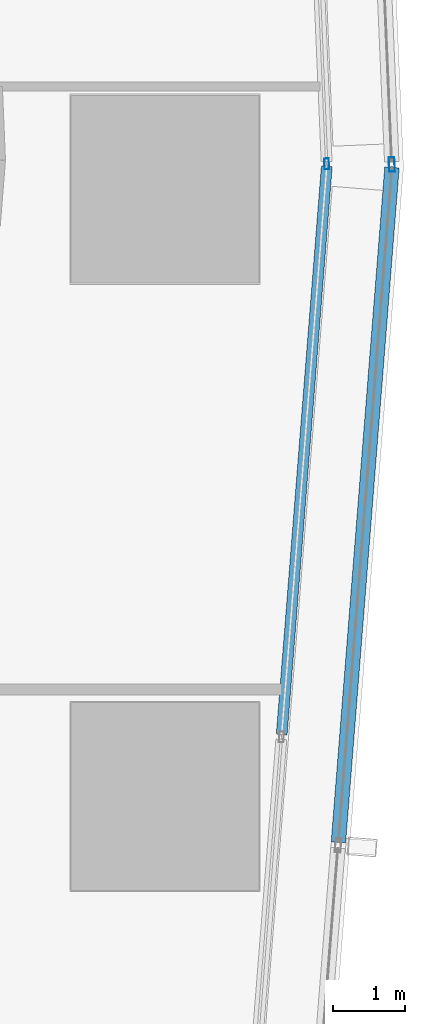
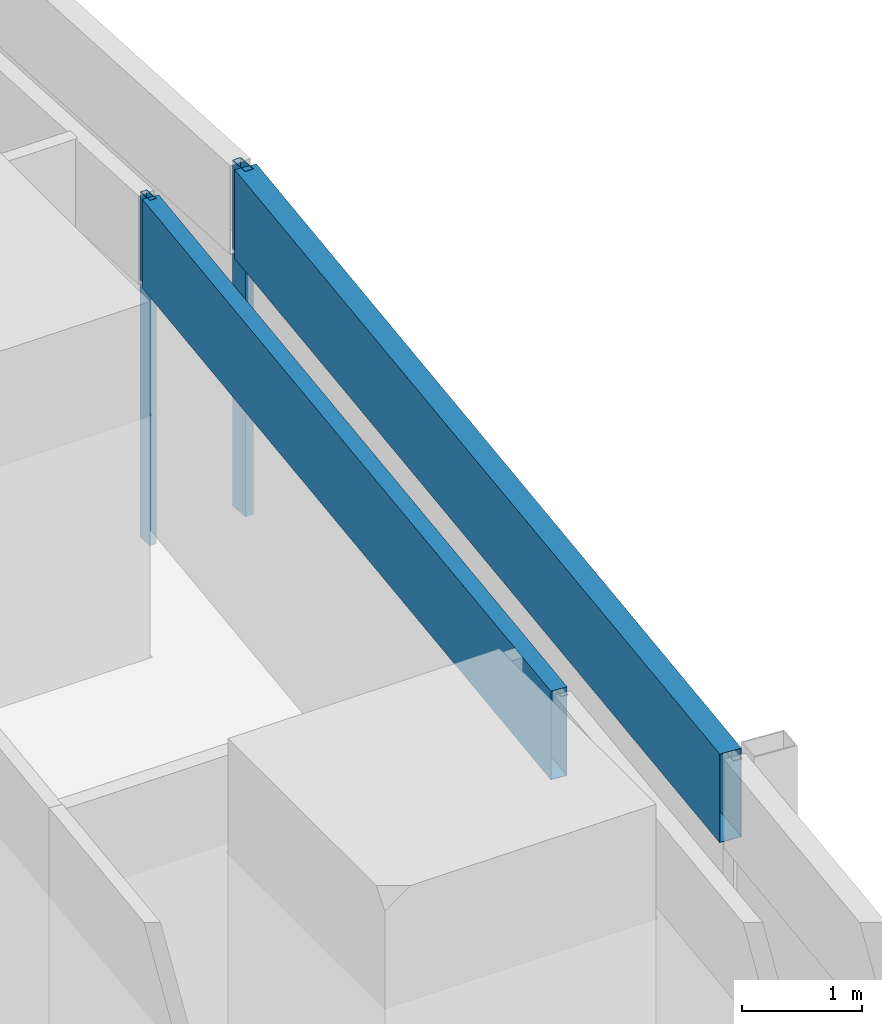
# One storey, part 26 of 46: 4 members, 4 elements without a shape of their own.
"""IFC4 building model written with IfcOpenShell, lengths in metres."""

from ifc_helpers import new_model, si_unit, direction, frame, origin, origin_2d, place, context, subcontext, project, spatial, hollow_rectangle, extrude, material, material_profile, profile_set, type_object, element, aggregate, save


model = new_model("IFC4")

# Units and contexts
model_context = context("Model", 3, precision=1e-05, world=origin(), true_north=direction((0.0, 1.0)))
body_context = subcontext(model_context, "Body", "Model", "MODEL_VIEW")
ifc_project = project(units=[si_unit("LENGTHUNIT", "METRE"), si_unit("AREAUNIT", "SQUARE_METRE"), si_unit("VOLUMEUNIT", "CUBIC_METRE"), si_unit("PLANEANGLEUNIT", "RADIAN"), si_unit("MASSUNIT", "GRAM", prefix="KILO")], contexts=[model_context])

# Site, building, storey
site_placement = place(None, origin())
site = spatial("IfcSite", under=ifc_project, at=site_placement, CompositionType="ELEMENT")
building_placement = place(site_placement, origin())
building = spatial("IfcBuilding", under=site, at=building_placement, Name="Rekha Terrace Tower", CompositionType="ELEMENT")
storey_placement = place(building_placement, frame((0.0, 0.0, 29.14990234375)))
storey = spatial("IfcBuildingStorey", under=building, at=storey_placement, Name="L06", CompositionType="ELEMENT", Elevation=29.14990234375)

# Curtain wall, member
ifc_material_1 = material(Name="Aluminium framing", Category="aluminium")
curtain_wall_type_1 = type_object("IfcCurtainWallType", Name="CW1 double skin inner glazing", PredefinedType="USERDEFINED", material=ifc_material_1)
curtain_wall_1_placement = place(storey_placement, origin())
curtain_wall_1 = element("IfcCurtainWall", 1, at=curtain_wall_1_placement, inside=storey, type_object=curtain_wall_type_1, Name="CW1 double skin inner glazing", ObjectType="DOUBLE SKIN INNER GLAZING", PredefinedType="USERDEFINED")
ifc_material_2 = material(Name="Aluminium mullion section", Category="aluminium")
ifc_material_profile_1 = material_profile(ifc_material_2, hollow_rectangle(XDim=0.06494140625, YDim=0.14990234375, WallThickness=0.00390625, at=origin_2d()), Name="AL RHS 65x150")
ifc_profile_set_1 = profile_set([ifc_material_profile_1], Name="Aluminium mullion section")
member_type_1 = type_object("IfcMemberType", Name="CW1 mullion RHS 65 x 150", PredefinedType="MULLION", material=ifc_profile_set_1)
member_1_placement = place(storey_placement, frame((69.436767578125, 25.5517578125, 0.0), z_axis=(0.0, 0.0, 1.0), x_axis=(-0.999088106903, -0.042696072939, 0.0)))
member_1 = element("IfcMember", 2, at=member_1_placement, type_object=member_type_1, Name="CW1 mullion 1", PredefinedType="MULLION", context=body_context, shape_type="SweptSolid", body=[
    extrude(hollow_rectangle(XDim=0.06494140625, YDim=0.14990234375, WallThickness=0.00390625, at=origin_2d()), origin(), (0.0, 0.0, 1.0), 3.5),
])
aggregate(curtain_wall_1, [member_1])

curtain_wall_2_placement = place(storey_placement, origin())
curtain_wall_2 = element("IfcCurtainWall", 3, at=curtain_wall_2_placement, inside=storey, type_object=curtain_wall_type_1, Name="CW1 double skin inner glazing", ObjectType="DOUBLE SKIN INNER GLAZING", PredefinedType="USERDEFINED")
ifc_material_3 = material(Name="Insulated aluminium spandrel box", Category="aluminium")
ifc_material_profile_2 = material_profile(ifc_material_3, hollow_rectangle(XDim=0.14990234375, YDim=0.89990234375, WallThickness=0.0029296875, at=origin_2d()), Name="AL SPANDREL BOX 150x900")
ifc_profile_set_2 = profile_set([ifc_material_profile_2], Name="Insulated aluminium spandrel box")
member_type_2 = type_object("IfcMemberType", Name="CW1 spandrel transom 150 x 900", PredefinedType="USERDEFINED", material=ifc_profile_set_2)
member_2_placement = place(storey_placement, frame((68.814208984375, 17.65576171875, 3.050048828125), z_axis=(0.079108001705, 0.996866051216, 0.0), x_axis=(-0.996866051216, 0.079108001705, 0.0)))
member_2 = element("IfcMember", 4, at=member_2_placement, type_object=member_type_2, Name="CW1 spandrel transom 2", ObjectType="TRANSOM", PredefinedType="USERDEFINED", context=body_context, shape_type="SweptSolid", body=[
    extrude(hollow_rectangle(XDim=0.14990234375, YDim=0.89990234375, WallThickness=0.0029296875, at=origin_2d()), origin(), (0.0, 0.0, 1.0), 7.88818359375),
])
aggregate(curtain_wall_2, [member_2])

curtain_wall_type_2 = type_object("IfcCurtainWallType", Name="CW2 double skin outer glazing", PredefinedType="USERDEFINED", material=ifc_material_1)
curtain_wall_3_placement = place(storey_placement, origin())
curtain_wall_3 = element("IfcCurtainWall", 5, at=curtain_wall_3_placement, inside=storey, type_object=curtain_wall_type_2, Name="CW2 double skin outer glazing", ObjectType="DOUBLE SKIN OUTER GLAZING", PredefinedType="USERDEFINED")
ifc_material_profile_3 = material_profile(ifc_material_2, hollow_rectangle(XDim=0.080078125, YDim=0.199951171875, WallThickness=0.00390625, at=origin_2d()), Name="AL RHS 80x200")
ifc_profile_set_3 = profile_set([ifc_material_profile_3], Name="Aluminium mullion section")
member_type_3 = type_object("IfcMemberType", Name="CW2 mullion RHS 80 x 200", PredefinedType="MULLION", material=ifc_profile_set_3)
member_3_placement = place(storey_placement, frame((70.338134765625, 25.54296875, 0.0), z_axis=(0.0, 0.0, 1.0), x_axis=(-0.999088106903, -0.042696072956, 0.0)))
member_3 = element("IfcMember", 6, at=member_3_placement, type_object=member_type_3, Name="CW2 mullion 1", PredefinedType="MULLION", context=body_context, shape_type="SweptSolid", body=[
    extrude(hollow_rectangle(XDim=0.080078125, YDim=0.199951171875, WallThickness=0.00390625, at=origin_2d()), origin(), (0.0, 0.0, 1.0), 3.5),
])
aggregate(curtain_wall_3, [member_3])

curtain_wall_4_placement = place(storey_placement, origin())
curtain_wall_4 = element("IfcCurtainWall", 7, at=curtain_wall_4_placement, inside=storey, type_object=curtain_wall_type_2, Name="CW2 double skin outer glazing", ObjectType="DOUBLE SKIN OUTER GLAZING", PredefinedType="USERDEFINED")
ifc_material_profile_4 = material_profile(ifc_material_3, hollow_rectangle(XDim=0.199951171875, YDim=0.89990234375, WallThickness=0.0029296875, at=origin_2d()), Name="AL SPANDREL BOX 200x900")
ifc_profile_set_4 = profile_set([ifc_material_profile_4], Name="Insulated aluminium spandrel box")
member_type_4 = type_object("IfcMemberType", Name="CW2 spandrel transom 200 x 900", PredefinedType="USERDEFINED", material=ifc_profile_set_4)
member_4_placement = place(storey_placement, frame((69.5986328125, 16.16552734375, 3.050048828125), z_axis=(0.079131924046, 0.996864152529, 0.0), x_axis=(-0.996864152529, 0.079131924046, 0.0)))
member_4 = element("IfcMember", 8, at=member_4_placement, type_object=member_type_4, Name="CW2 spandrel transom 2", ObjectType="TRANSOM", PredefinedType="USERDEFINED", context=body_context, shape_type="SweptSolid", body=[
    extrude(hollow_rectangle(XDim=0.199951171875, YDim=0.89990234375, WallThickness=0.0029296875, at=origin_2d()), origin(), (0.0, 0.0, 1.0), 9.36669921875),
])
aggregate(curtain_wall_4, [member_4])

save(model, "model.ifc")
